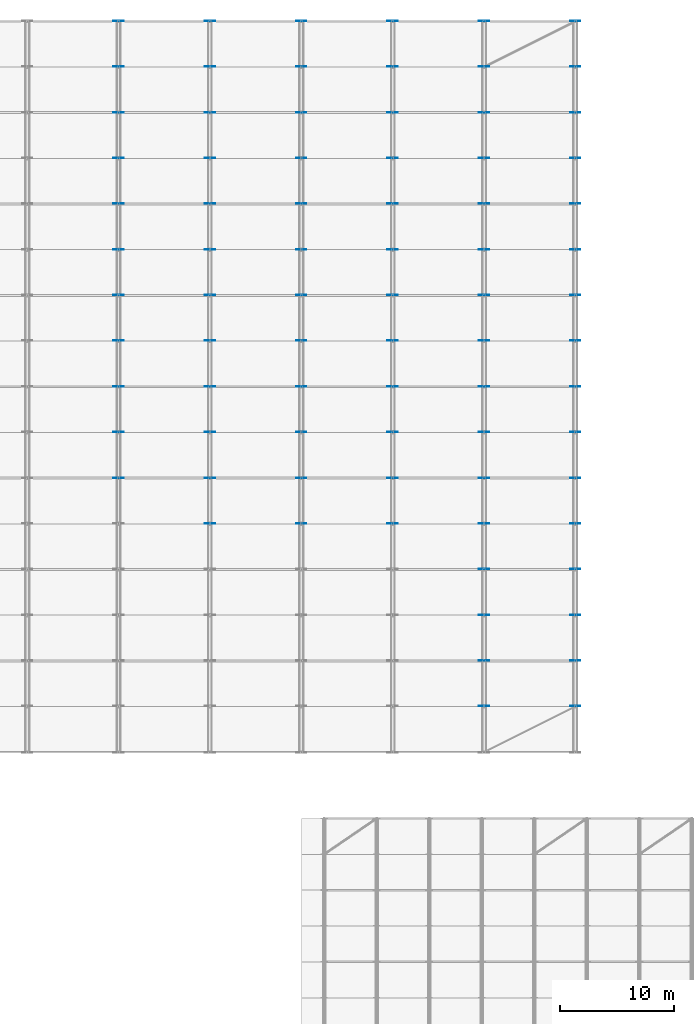
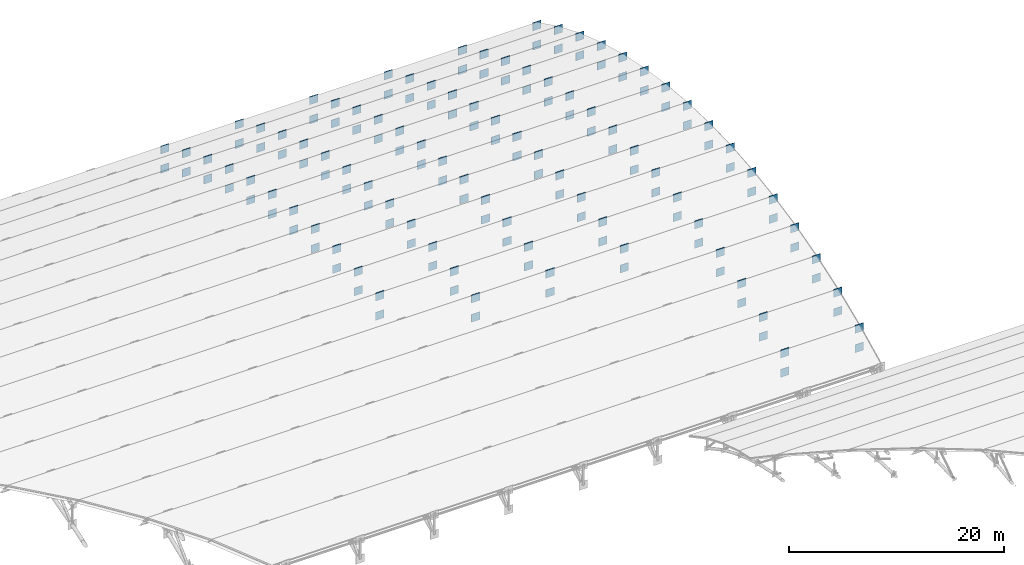
# One storey, part 95 of 98: 158 plates.
"""IFC4 building model written with IfcOpenShell, lengths in metres."""

from ifc_helpers import new_model, si_unit, direction, frame, origin, origin_2d, place, context, subcontext, project, spatial, rectangle, extrude, material, layer, layer_set, type_object, element, save


model = new_model("IFC4")

# Units and contexts
model_context = context("Model", 3, precision=1e-05, world=origin(), true_north=direction((0.0, 1.0)))
body_context = subcontext(model_context, "Body", "Model", "MODEL_VIEW")
ifc_project = project(units=[si_unit("LENGTHUNIT", "METRE"), si_unit("AREAUNIT", "SQUARE_METRE"), si_unit("VOLUMEUNIT", "CUBIC_METRE"), si_unit("PLANEANGLEUNIT", "RADIAN"), si_unit("MASSUNIT", "GRAM", prefix="KILO")], contexts=[model_context])

# Site, building, storey
site_placement = place(None, origin())
site = spatial("IfcSite", under=ifc_project, at=site_placement, CompositionType="ELEMENT")
building_placement = place(site_placement, origin())
building = spatial("IfcBuilding", under=site, at=building_placement, Name="Tlacozan Convention Centre", CompositionType="ELEMENT")
storey_placement = place(building_placement, frame((0.0, 0.0, 25.800048828125)))
storey = spatial("IfcBuildingStorey", under=building, at=storey_placement, Name="Roof", CompositionType="ELEMENT", Elevation=25.800048828125)

# Plates
ifc_material = material(Name="Steel ASTM A572 Grade 50", Category="steel")
ifc_layer = layer(ifc_material, 0.044921875)
ifc_layer_set = layer_set([ifc_layer], Name="Steel ASTM A572 Grade 50")
plate_type = type_object("IfcPlateType", Name="Arch Springing Node Gusset Plate", PredefinedType="SHEET", material=ifc_layer_set)
for number, where, z_axis, x_axis, name in (
    (1, (128.0, 86.026123046875, -3.518310546875), (0.0, 0.0, 1.0), (0.0, 1.0, 0.0), "Roof Gusset Cap Plate 557"),
    (2, (128.0, 86.026123046875, -5.71826171875), (0.0, 0.0, 1.0), (0.0, 1.0, 0.0), "Roof Gusset Cap Plate 558"),
    (3, (128.0, 90.0263671875, -3.165283203125), (0.0, 0.0, 1.0), (0.0, 1.0, 0.0), "Roof Gusset Cap Plate 559"),
    (4, (128.0, 90.0263671875, -5.365478515625), (0.0, 0.0, 1.0), (0.0, 1.0, 0.0), "Roof Gusset Cap Plate 560"),
    (5, (128.0, 94.026611328125, -3.04931640625), (0.0, 0.0, 1.0), (0.0, 1.0, 0.0), "Roof Gusset Cap Plate 561"),
    (6, (128.0, 94.026611328125, -5.249267578125), (0.0, 0.0, 1.0), (0.0, 1.0, 0.0), "Roof Gusset Cap Plate 562"),
    (7, (128.0, 98.026611328125, -3.16845703125), (0.0, 0.0, 1.0), (0.0, 1.0, 0.0), "Roof Gusset Cap Plate 563"),
    (8, (128.0, 98.026611328125, -5.368408203125), (0.0, 0.0, 1.0), (0.0, 1.0, 0.0), "Roof Gusset Cap Plate 564"),
    (9, (128.0, 102.0263671875, -3.5244140625), (0.0, 0.0, 1.0), (0.0, 1.0, 0.0), "Roof Gusset Cap Plate 565"),
    (10, (128.0, 102.0263671875, -5.724609375), (0.0, 0.0, 1.0), (0.0, 1.0, 0.0), "Roof Gusset Cap Plate 566"),
    (11, (128.0, 106.026123046875, -4.12109375), (0.0, 0.0, 1.0), (0.0, 1.0, 0.0), "Roof Gusset Cap Plate 567"),
    (12, (128.0, 106.026123046875, -6.321044921875), (0.0, 0.0, 1.0), (0.0, 1.0, 0.0), "Roof Gusset Cap Plate 568"),
    (13, (128.0, 110.02587890625, -4.964599609375), (0.0, 0.0, 1.0), (0.0, 1.0, 0.0), "Roof Gusset Cap Plate 569"),
    (14, (128.0, 110.02587890625, -7.164794921875), (0.0, 0.0, 1.0), (0.0, 1.0, 0.0), "Roof Gusset Cap Plate 570"),
    (15, (128.0, 114.025634765625, -6.064697265625), (0.0, 0.0, 1.0), (0.0, 1.0, 0.0), "Roof Gusset Cap Plate 571"),
    (16, (128.0, 114.025634765625, -8.2646484375), (0.0, 0.0, 1.0), (0.0, 1.0, 0.0), "Roof Gusset Cap Plate 572"),
    (17, (128.0, 118.025146484375, -7.434814453125), (0.0, 0.0, 1.0), (0.0, 1.0, 0.0), "Roof Gusset Cap Plate 573"),
    (18, (128.0, 118.025146484375, -9.634765625), (0.0, 0.0, 1.0), (0.0, 1.0, 0.0), "Roof Gusset Cap Plate 574"),
    (19, (128.0, 122.0244140625, -9.09228515625), (0.0, 0.0, 1.0), (0.0, 1.0, 0.0), "Roof Gusset Cap Plate 575"),
    (20, (128.0, 122.0244140625, -11.29248046875), (0.0, 0.0, 1.0), (0.0, 1.0, 0.0), "Roof Gusset Cap Plate 576"),
    (21, (128.0, 126.023681640625, -11.061767578125), (0.0, 0.0, 1.0), (0.0, 1.0, 0.0), "Roof Gusset Cap Plate 577"),
    (22, (128.0, 126.023681640625, -13.26171875), (0.0, 0.0, 1.0), (0.0, 1.0, 0.0), "Roof Gusset Cap Plate 578"),
    (23, (136.0, 82.02587890625, -4.11181640625), (0.0, 0.0, 1.0), (0.0, 1.0, 0.0), "Roof Gusset Cap Plate 589"),
    (24, (136.0, 82.02587890625, -6.311767578125), (0.0, 0.0, 1.0), (0.0, 1.0, 0.0), "Roof Gusset Cap Plate 590"),
    (25, (136.0, 86.026123046875, -3.518310546875), (0.0, 0.0, 1.0), (0.0, 1.0, 0.0), "Roof Gusset Cap Plate 591"),
    (26, (136.0, 86.026123046875, -5.71826171875), (0.0, 0.0, 1.0), (0.0, 1.0, 0.0), "Roof Gusset Cap Plate 592"),
    (27, (136.0, 90.0263671875, -3.165283203125), (0.0, 0.0, 1.0), (0.0, 1.0, 0.0), "Roof Gusset Cap Plate 593"),
    (28, (136.0, 90.0263671875, -5.365478515625), (0.0, 0.0, 1.0), (0.0, 1.0, 0.0), "Roof Gusset Cap Plate 594"),
    (29, (136.0, 94.026611328125, -3.04931640625), (0.0, 0.0, 1.0), (0.0, 1.0, 0.0), "Roof Gusset Cap Plate 595"),
    (30, (136.0, 94.026611328125, -5.249267578125), (0.0, 0.0, 1.0), (0.0, 1.0, 0.0), "Roof Gusset Cap Plate 596"),
    (31, (136.0, 98.026611328125, -3.16845703125), (0.0, 0.0, 1.0), (0.0, 1.0, 0.0), "Roof Gusset Cap Plate 597"),
    (32, (136.0, 98.026611328125, -5.368408203125), (0.0, 0.0, 1.0), (0.0, 1.0, 0.0), "Roof Gusset Cap Plate 598"),
    (33, (136.0, 102.0263671875, -3.5244140625), (0.0, 0.0, 1.0), (0.0, 1.0, 0.0), "Roof Gusset Cap Plate 599"),
    (34, (136.0, 102.0263671875, -5.724609375), (0.0, 0.0, 1.0), (0.0, 1.0, 0.0), "Roof Gusset Cap Plate 600"),
    (35, (136.0, 106.026123046875, -4.12109375), (0.0, 0.0, 1.0), (0.0, 1.0, 0.0), "Roof Gusset Cap Plate 601"),
    (36, (136.0, 106.026123046875, -6.321044921875), (0.0, 0.0, 1.0), (0.0, 1.0, 0.0), "Roof Gusset Cap Plate 602"),
    (37, (136.0, 110.02587890625, -4.964599609375), (0.0, 0.0, 1.0), (0.0, 1.0, 0.0), "Roof Gusset Cap Plate 603"),
    (38, (136.0, 110.02587890625, -7.164794921875), (0.0, 0.0, 1.0), (0.0, 1.0, 0.0), "Roof Gusset Cap Plate 604"),
    (39, (136.0, 114.025634765625, -6.064697265625), (0.0, 0.0, 1.0), (0.0, 1.0, 0.0), "Roof Gusset Cap Plate 605"),
    (40, (136.0, 114.025634765625, -8.2646484375), (0.0, 0.0, 1.0), (0.0, 1.0, 0.0), "Roof Gusset Cap Plate 606"),
    (41, (136.0, 118.025146484375, -7.434814453125), (0.0, 0.0, 1.0), (0.0, 1.0, 0.0), "Roof Gusset Cap Plate 607"),
    (42, (136.0, 118.025146484375, -9.634765625), (0.0, 0.0, 1.0), (0.0, 1.0, 0.0), "Roof Gusset Cap Plate 608"),
    (43, (136.0, 122.0244140625, -9.09228515625), (0.0, 0.0, 1.0), (0.0, 1.0, 0.0), "Roof Gusset Cap Plate 609"),
    (44, (136.0, 122.0244140625, -11.29248046875), (0.0, 0.0, 1.0), (0.0, 1.0, 0.0), "Roof Gusset Cap Plate 610"),
    (45, (136.0, 126.023681640625, -11.061767578125), (0.0, 0.0, 1.0), (0.0, 1.0, 0.0), "Roof Gusset Cap Plate 611"),
    (46, (136.0, 126.023681640625, -13.26171875), (0.0, 0.0, 1.0), (0.0, 1.0, 0.0), "Roof Gusset Cap Plate 612"),
    (47, (144.0, 82.02587890625, -4.11181640625), (0.0, 0.0, 1.0), (0.0, 1.0, 0.0), "Roof Gusset Cap Plate 623"),
    (48, (144.0, 82.02587890625, -6.311767578125), (0.0, 0.0, 1.0), (0.0, 1.0, 0.0), "Roof Gusset Cap Plate 624"),
    (49, (144.0, 86.026123046875, -3.518310546875), (0.0, 0.0, 1.0), (0.0, 1.0, 0.0), "Roof Gusset Cap Plate 625"),
    (50, (144.0, 86.026123046875, -5.71826171875), (0.0, 0.0, 1.0), (0.0, 1.0, 0.0), "Roof Gusset Cap Plate 626"),
    (51, (144.0, 90.0263671875, -3.165283203125), (0.0, 0.0, 1.0), (0.0, 1.0, 0.0), "Roof Gusset Cap Plate 627"),
    (52, (144.0, 90.0263671875, -5.365478515625), (0.0, 0.0, 1.0), (0.0, 1.0, 0.0), "Roof Gusset Cap Plate 628"),
    (53, (144.0, 94.026611328125, -3.04931640625), (0.0, 0.0, 1.0), (0.0, 1.0, 0.0), "Roof Gusset Cap Plate 629"),
    (54, (144.0, 94.026611328125, -5.249267578125), (0.0, 0.0, 1.0), (0.0, 1.0, 0.0), "Roof Gusset Cap Plate 630"),
    (55, (144.0, 98.026611328125, -3.16845703125), (0.0, 0.0, 1.0), (0.0, 1.0, 0.0), "Roof Gusset Cap Plate 631"),
    (56, (144.0, 98.026611328125, -5.368408203125), (0.0, 0.0, 1.0), (0.0, 1.0, 0.0), "Roof Gusset Cap Plate 632"),
    (57, (144.0, 102.0263671875, -3.5244140625), (0.0, 0.0, 1.0), (0.0, 1.0, 0.0), "Roof Gusset Cap Plate 633"),
    (58, (144.0, 102.0263671875, -5.724609375), (0.0, 0.0, 1.0), (0.0, 1.0, 0.0), "Roof Gusset Cap Plate 634"),
    (59, (144.0, 106.026123046875, -4.12109375), (0.0, 0.0, 1.0), (0.0, 1.0, 0.0), "Roof Gusset Cap Plate 635"),
    (60, (144.0, 106.026123046875, -6.321044921875), (0.0, 0.0, 1.0), (0.0, 1.0, 0.0), "Roof Gusset Cap Plate 636"),
    (61, (144.0, 110.02587890625, -4.964599609375), (0.0, 0.0, 1.0), (0.0, 1.0, 0.0), "Roof Gusset Cap Plate 637"),
    (62, (144.0, 110.02587890625, -7.164794921875), (0.0, 0.0, 1.0), (0.0, 1.0, 0.0), "Roof Gusset Cap Plate 638"),
    (63, (144.0, 114.025634765625, -6.064697265625), (0.0, 0.0, 1.0), (0.0, 1.0, 0.0), "Roof Gusset Cap Plate 639"),
    (64, (144.0, 114.025634765625, -8.2646484375), (0.0, 0.0, 1.0), (0.0, 1.0, 0.0), "Roof Gusset Cap Plate 640"),
    (65, (144.0, 118.025146484375, -7.434814453125), (0.0, 0.0, 1.0), (0.0, 1.0, 0.0), "Roof Gusset Cap Plate 641"),
    (66, (144.0, 118.025146484375, -9.634765625), (0.0, 0.0, 1.0), (0.0, 1.0, 0.0), "Roof Gusset Cap Plate 642"),
    (67, (144.0, 122.0244140625, -9.09228515625), (0.0, 0.0, 1.0), (0.0, 1.0, 0.0), "Roof Gusset Cap Plate 643"),
    (68, (144.0, 122.0244140625, -11.29248046875), (0.0, 0.0, 1.0), (0.0, 1.0, 0.0), "Roof Gusset Cap Plate 644"),
    (69, (144.0, 126.023681640625, -11.061767578125), (0.0, 0.0, 1.0), (0.0, 1.0, 0.0), "Roof Gusset Cap Plate 645"),
    (70, (144.0, 126.023681640625, -13.26171875), (0.0, 0.0, 1.0), (0.0, 1.0, 0.0), "Roof Gusset Cap Plate 646"),
    (71, (152.0, 82.02587890625, -4.11181640625), (0.0, 0.0, 1.0), (0.0, 1.0, 0.0), "Roof Gusset Cap Plate 657"),
    (72, (152.0, 82.02587890625, -6.311767578125), (0.0, 0.0, 1.0), (0.0, 1.0, 0.0), "Roof Gusset Cap Plate 658"),
    (73, (152.0, 86.026123046875, -3.518310546875), (0.0, 0.0, 1.0), (0.0, 1.0, 0.0), "Roof Gusset Cap Plate 659"),
    (74, (152.0, 86.026123046875, -5.71826171875), (0.0, 0.0, 1.0), (0.0, 1.0, 0.0), "Roof Gusset Cap Plate 660"),
    (75, (152.0, 90.0263671875, -3.165283203125), (0.0, 0.0, 1.0), (0.0, 1.0, 0.0), "Roof Gusset Cap Plate 661"),
    (76, (152.0, 90.0263671875, -5.365478515625), (0.0, 0.0, 1.0), (0.0, 1.0, 0.0), "Roof Gusset Cap Plate 662"),
    (77, (152.0, 94.026611328125, -3.04931640625), (0.0, 0.0, 1.0), (0.0, 1.0, 0.0), "Roof Gusset Cap Plate 663"),
    (78, (152.0, 94.026611328125, -5.249267578125), (0.0, 0.0, 1.0), (0.0, 1.0, 0.0), "Roof Gusset Cap Plate 664"),
    (79, (152.0, 98.026611328125, -3.16845703125), (0.0, 0.0, 1.0), (0.0, 1.0, 0.0), "Roof Gusset Cap Plate 665"),
    (80, (152.0, 98.026611328125, -5.368408203125), (0.0, 0.0, 1.0), (0.0, 1.0, 0.0), "Roof Gusset Cap Plate 666"),
    (81, (152.0, 102.0263671875, -3.5244140625), (0.0, 0.0, 1.0), (0.0, 1.0, 0.0), "Roof Gusset Cap Plate 667"),
    (82, (152.0, 102.0263671875, -5.724609375), (0.0, 0.0, 1.0), (0.0, 1.0, 0.0), "Roof Gusset Cap Plate 668"),
    (83, (152.0, 106.026123046875, -4.12109375), (0.0, 0.0, 1.0), (0.0, 1.0, 0.0), "Roof Gusset Cap Plate 669"),
    (84, (152.0, 106.026123046875, -6.321044921875), (0.0, 0.0, 1.0), (0.0, 1.0, 0.0), "Roof Gusset Cap Plate 670"),
    (85, (152.0, 110.02587890625, -4.964599609375), (0.0, 0.0, 1.0), (0.0, 1.0, 0.0), "Roof Gusset Cap Plate 671"),
    (86, (152.0, 110.02587890625, -7.164794921875), (0.0, 0.0, 1.0), (0.0, 1.0, 0.0), "Roof Gusset Cap Plate 672"),
    (87, (152.0, 114.025634765625, -6.064697265625), (0.0, 0.0, 1.0), (0.0, 1.0, 0.0), "Roof Gusset Cap Plate 673"),
    (88, (152.0, 114.025634765625, -8.2646484375), (0.0, 0.0, 1.0), (0.0, 1.0, 0.0), "Roof Gusset Cap Plate 674"),
    (89, (152.0, 118.025146484375, -7.434814453125), (0.0, 0.0, 1.0), (0.0, 1.0, 0.0), "Roof Gusset Cap Plate 675"),
    (90, (152.0, 118.025146484375, -9.634765625), (0.0, 0.0, 1.0), (0.0, 1.0, 0.0), "Roof Gusset Cap Plate 676"),
    (91, (152.0, 122.0244140625, -9.09228515625), (0.0, 0.0, 1.0), (0.0, 1.0, 0.0), "Roof Gusset Cap Plate 677"),
    (92, (152.0, 122.0244140625, -11.29248046875), (0.0, 0.0, 1.0), (0.0, 1.0, 0.0), "Roof Gusset Cap Plate 678"),
    (93, (152.0, 126.023681640625, -11.061767578125), (0.0, 0.0, 1.0), (0.0, 1.0, 0.0), "Roof Gusset Cap Plate 679"),
    (94, (152.0, 126.023681640625, -13.26171875), (0.0, 0.0, 1.0), (0.0, 1.0, 0.0), "Roof Gusset Cap Plate 680"),
    (95, (160.0, 66.023681640625, -9.070556640625), (0.0, 0.0, 1.0), (0.0, 1.0, 0.0), "Roof Gusset Cap Plate 682"),
    (96, (160.0, 66.023681640625, -11.2705078125), (0.0, 0.0, 1.0), (0.0, 1.0, 0.0), "Roof Gusset Cap Plate 684"),
    (97, (160.0, 70.0244140625, -7.416015625), (0.0, 0.0, 1.0), (0.0, 1.0, 0.0), "Roof Gusset Cap Plate 685"),
    (98, (160.0, 70.0244140625, -9.615966796875), (0.0, 0.0, 1.0), (0.0, 1.0, 0.0), "Roof Gusset Cap Plate 686"),
    (99, (160.0, 74.025146484375, -6.049072265625), (0.0, 0.0, 1.0), (0.0, 1.0, 0.0), "Roof Gusset Cap Plate 687"),
    (100, (160.0, 74.025146484375, -8.2490234375), (0.0, 0.0, 1.0), (0.0, 1.0, 0.0), "Roof Gusset Cap Plate 688"),
    (101, (160.0, 78.025634765625, -4.9521484375), (0.0, 0.0, 1.0), (0.0, 1.0, 0.0), "Roof Gusset Cap Plate 689"),
    (102, (160.0, 78.025634765625, -7.152099609375), (0.0, 0.0, 1.0), (0.0, 1.0, 0.0), "Roof Gusset Cap Plate 690"),
    (103, (160.0, 82.02587890625, -4.11181640625), (0.0, 0.0, 1.0), (0.0, 1.0, 0.0), "Roof Gusset Cap Plate 691"),
    (104, (160.0, 82.02587890625, -6.311767578125), (0.0, 0.0, 1.0), (0.0, 1.0, 0.0), "Roof Gusset Cap Plate 692"),
    (105, (160.0, 86.026123046875, -3.518310546875), (0.0, 0.0, 1.0), (0.0, 1.0, 0.0), "Roof Gusset Cap Plate 693"),
    (106, (160.0, 86.026123046875, -5.71826171875), (0.0, 0.0, 1.0), (0.0, 1.0, 0.0), "Roof Gusset Cap Plate 694"),
    (107, (160.0, 90.0263671875, -3.165283203125), (0.0, 0.0, 1.0), (0.0, 1.0, 0.0), "Roof Gusset Cap Plate 695"),
    (108, (160.0, 90.0263671875, -5.365478515625), (0.0, 0.0, 1.0), (0.0, 1.0, 0.0), "Roof Gusset Cap Plate 696"),
    (109, (160.0, 94.026611328125, -3.04931640625), (0.0, 0.0, 1.0), (0.0, 1.0, 0.0), "Roof Gusset Cap Plate 697"),
    (110, (160.0, 94.026611328125, -5.249267578125), (0.0, 0.0, 1.0), (0.0, 1.0, 0.0), "Roof Gusset Cap Plate 698"),
    (111, (160.0, 98.026611328125, -3.16845703125), (0.0, 0.0, 1.0), (0.0, 1.0, 0.0), "Roof Gusset Cap Plate 699"),
    (112, (160.0, 98.026611328125, -5.368408203125), (0.0, 0.0, 1.0), (0.0, 1.0, 0.0), "Roof Gusset Cap Plate 700"),
    (113, (160.0, 102.0263671875, -3.5244140625), (0.0, 0.0, 1.0), (0.0, 1.0, 0.0), "Roof Gusset Cap Plate 701"),
    (114, (160.0, 102.0263671875, -5.724609375), (0.0, 0.0, 1.0), (0.0, 1.0, 0.0), "Roof Gusset Cap Plate 702"),
    (115, (160.0, 106.026123046875, -4.12109375), (0.0, 0.0, 1.0), (0.0, 1.0, 0.0), "Roof Gusset Cap Plate 703"),
    (116, (160.0, 106.026123046875, -6.321044921875), (0.0, 0.0, 1.0), (0.0, 1.0, 0.0), "Roof Gusset Cap Plate 704"),
    (117, (160.0, 110.02587890625, -4.964599609375), (0.0, 0.0, 1.0), (0.0, 1.0, 0.0), "Roof Gusset Cap Plate 705"),
    (118, (160.0, 110.02587890625, -7.164794921875), (0.0, 0.0, 1.0), (0.0, 1.0, 0.0), "Roof Gusset Cap Plate 706"),
    (119, (160.0, 114.025634765625, -6.064697265625), (0.0, 0.0, 1.0), (0.0, 1.0, 0.0), "Roof Gusset Cap Plate 707"),
    (120, (160.0, 114.025634765625, -8.2646484375), (0.0, 0.0, 1.0), (0.0, 1.0, 0.0), "Roof Gusset Cap Plate 708"),
    (121, (160.0, 118.025146484375, -7.434814453125), (0.0, 0.0, 1.0), (0.0, 1.0, 0.0), "Roof Gusset Cap Plate 709"),
    (122, (160.0, 118.025146484375, -9.634765625), (0.0, 0.0, 1.0), (0.0, 1.0, 0.0), "Roof Gusset Cap Plate 710"),
    (123, (160.0, 122.0244140625, -9.09228515625), (0.0, 0.0, 1.0), (0.0, 1.0, 0.0), "Roof Gusset Cap Plate 711"),
    (124, (160.0, 122.0244140625, -11.29248046875), (0.0, 0.0, 1.0), (0.0, 1.0, 0.0), "Roof Gusset Cap Plate 712"),
    (125, (160.0, 126.023681640625, -11.061767578125), (0.0, 0.0, 1.0), (0.0, 1.0, 0.0), "Roof Gusset Cap Plate 713"),
    (126, (160.0, 126.023681640625, -13.26171875), (0.0, 0.0, 1.0), (0.0, 1.0, 0.0), "Roof Gusset Cap Plate 714"),
    (127, (168.0, 66.023681640625, -9.070556640625), (0.0, 0.0, 1.0), (0.0, 1.0, 0.0), "Roof Gusset Cap Plate 716"),
    (128, (168.0, 66.023681640625, -11.2705078125), (0.0, 0.0, 1.0), (0.0, 1.0, 0.0), "Roof Gusset Cap Plate 718"),
    (129, (168.0, 70.0244140625, -7.416015625), (0.0, 0.0, 1.0), (0.0, 1.0, 0.0), "Roof Gusset Cap Plate 719"),
    (130, (168.0, 70.0244140625, -9.615966796875), (0.0, 0.0, 1.0), (0.0, 1.0, 0.0), "Roof Gusset Cap Plate 720"),
    (131, (168.0, 74.025146484375, -6.049072265625), (0.0, 0.0, 1.0), (0.0, 1.0, 0.0), "Roof Gusset Cap Plate 721"),
    (132, (168.0, 74.025146484375, -8.2490234375), (0.0, 0.0, 1.0), (0.0, 1.0, 0.0), "Roof Gusset Cap Plate 722"),
    (133, (168.0, 78.025634765625, -4.9521484375), (0.0, 0.0, 1.0), (0.0, 1.0, 0.0), "Roof Gusset Cap Plate 723"),
    (134, (168.0, 78.025634765625, -7.152099609375), (0.0, 0.0, 1.0), (0.0, 1.0, 0.0), "Roof Gusset Cap Plate 724"),
    (135, (168.0, 82.02587890625, -4.11181640625), (0.0, 0.0, 1.0), (0.0, 1.0, 0.0), "Roof Gusset Cap Plate 725"),
    (136, (168.0, 82.02587890625, -6.311767578125), (0.0, 0.0, 1.0), (0.0, 1.0, 0.0), "Roof Gusset Cap Plate 726"),
    (137, (168.0, 86.026123046875, -3.518310546875), (0.0, 0.0, 1.0), (0.0, 1.0, 0.0), "Roof Gusset Cap Plate 727"),
    (138, (168.0, 86.026123046875, -5.71826171875), (0.0, 0.0, 1.0), (0.0, 1.0, 0.0), "Roof Gusset Cap Plate 728"),
    (139, (168.0, 90.0263671875, -3.165283203125), (0.0, 0.0, 1.0), (0.0, 1.0, 0.0), "Roof Gusset Cap Plate 729"),
    (140, (168.0, 90.0263671875, -5.365478515625), (0.0, 0.0, 1.0), (0.0, 1.0, 0.0), "Roof Gusset Cap Plate 730"),
    (141, (168.0, 94.026611328125, -3.04931640625), (0.0, 0.0, 1.0), (0.0, 1.0, 0.0), "Roof Gusset Cap Plate 731"),
    (142, (168.0, 94.026611328125, -5.249267578125), (0.0, 0.0, 1.0), (0.0, 1.0, 0.0), "Roof Gusset Cap Plate 732"),
    (143, (168.0, 98.026611328125, -3.16845703125), (0.0, 0.0, 1.0), (0.0, 1.0, 0.0), "Roof Gusset Cap Plate 733"),
    (144, (168.0, 98.026611328125, -5.368408203125), (0.0, 0.0, 1.0), (0.0, 1.0, 0.0), "Roof Gusset Cap Plate 734"),
    (145, (168.0, 102.0263671875, -3.5244140625), (0.0, 0.0, 1.0), (0.0, 1.0, 0.0), "Roof Gusset Cap Plate 735"),
    (146, (168.0, 102.0263671875, -5.724609375), (0.0, 0.0, 1.0), (0.0, 1.0, 0.0), "Roof Gusset Cap Plate 736"),
    (147, (168.0, 106.026123046875, -4.12109375), (0.0, 0.0, 1.0), (0.0, 1.0, 0.0), "Roof Gusset Cap Plate 737"),
    (148, (168.0, 106.026123046875, -6.321044921875), (0.0, 0.0, 1.0), (0.0, 1.0, 0.0), "Roof Gusset Cap Plate 738"),
    (149, (168.0, 110.02587890625, -4.964599609375), (0.0, 0.0, 1.0), (0.0, 1.0, 0.0), "Roof Gusset Cap Plate 739"),
    (150, (168.0, 110.02587890625, -7.164794921875), (0.0, 0.0, 1.0), (0.0, 1.0, 0.0), "Roof Gusset Cap Plate 740"),
    (151, (168.0, 114.025634765625, -6.064697265625), (0.0, 0.0, 1.0), (0.0, 1.0, 0.0), "Roof Gusset Cap Plate 741"),
    (152, (168.0, 114.025634765625, -8.2646484375), (0.0, 0.0, 1.0), (0.0, 1.0, 0.0), "Roof Gusset Cap Plate 742"),
    (153, (168.0, 118.025146484375, -7.434814453125), (0.0, 0.0, 1.0), (0.0, 1.0, 0.0), "Roof Gusset Cap Plate 743"),
    (154, (168.0, 118.025146484375, -9.634765625), (0.0, 0.0, 1.0), (0.0, 1.0, 0.0), "Roof Gusset Cap Plate 744"),
    (155, (168.0, 122.0244140625, -9.09228515625), (0.0, 0.0, 1.0), (0.0, 1.0, 0.0), "Roof Gusset Cap Plate 745"),
    (156, (168.0, 122.0244140625, -11.29248046875), (0.0, 0.0, 1.0), (0.0, 1.0, 0.0), "Roof Gusset Cap Plate 746"),
    (157, (168.0, 126.023681640625, -11.061767578125), (0.0, 0.0, 1.0), (0.0, 1.0, 0.0), "Roof Gusset Cap Plate 747"),
    (158, (168.0, 126.023681640625, -13.26171875), (0.0, 0.0, 1.0), (0.0, 1.0, 0.0), "Roof Gusset Cap Plate 748"),
):
    element("IfcPlate", number, at=place(storey_placement, frame(where, z_axis=z_axis, x_axis=x_axis)), inside=storey, type_object=plate_type, Name=name, PredefinedType="SHEET", context=body_context, shape_type="SweptSolid", body=[
        extrude(rectangle(XDim=0.044921875, YDim=0.89990234375, at=origin_2d()), origin(), (0.0, 0.0, 1.0), 0.89990234375),
    ])

save(model, "model.ifc")
